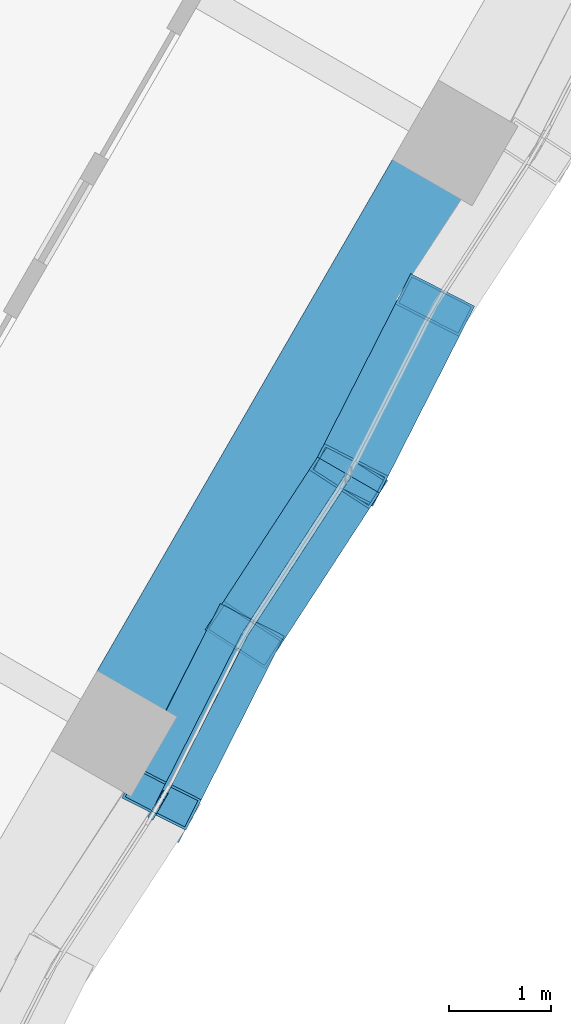
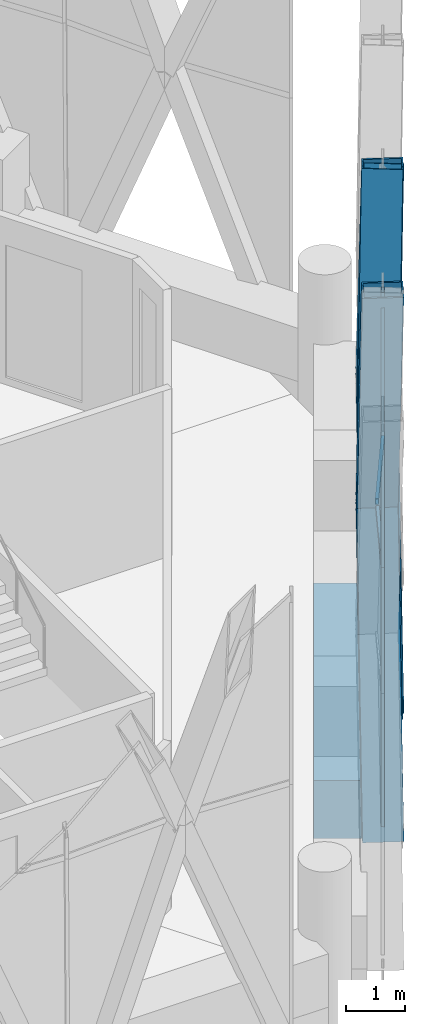
# One storey, part 6 of 22: 10 members, 1 beam, 2 elements without a shape of their own.
"""IFC4 building model written with IfcOpenShell, lengths in metres."""

from ifc_helpers import new_model, si_unit, direction, frame, origin, origin_2d, place, context, subcontext, project, spatial, rectangle, hollow_rectangle, extrude, material, material_profile, profile_set, type_object, element, aggregate, save


model = new_model("IFC4")

# Units and contexts
model_context = context("Model", 3, precision=1e-05, world=origin(), true_north=direction((0.0, 1.0)))
body_context = subcontext(model_context, "Body", "Model", "MODEL_VIEW")
ifc_project = project(units=[si_unit("LENGTHUNIT", "METRE"), si_unit("AREAUNIT", "SQUARE_METRE"), si_unit("VOLUMEUNIT", "CUBIC_METRE"), si_unit("PLANEANGLEUNIT", "RADIAN"), si_unit("MASSUNIT", "GRAM", prefix="KILO")], contexts=[model_context])

# Site, building, storey
site_placement = place(None, origin())
site = spatial("IfcSite", under=ifc_project, at=site_placement, CompositionType="ELEMENT")
building_placement = place(site_placement, origin())
building = spatial("IfcBuilding", under=site, at=building_placement, Name="Ostrander Bayou Hotel Tower", CompositionType="ELEMENT")
storey_placement = place(building_placement, frame((0.0, 0.0, 245.0)))
storey = spatial("IfcBuildingStorey", under=building, at=storey_placement, Name="L60", CompositionType="ELEMENT", Elevation=245.0)

# Curtain wall, members
ifc_material_1 = material(Name="Aluminium and clear glass", Category="aluminium")
curtain_wall_type = type_object("IfcCurtainWallType", Name="CW-LAT lattice glazing", PredefinedType="NOTDEFINED", material=ifc_material_1)
curtain_wall_1_placement = place(storey_placement, origin())
curtain_wall_1 = element("IfcCurtainWall", 1, at=curtain_wall_1_placement, inside=storey, type_object=curtain_wall_type, Name="CW-LAT L60 SE 1", PredefinedType="NOTDEFINED")
ifc_material_2 = material(Name="Aluminium", Category="aluminium")
ifc_material_profile_1 = material_profile(ifc_material_2, hollow_rectangle(XDim=0.06005859375, YDim=0.159912109375, WallThickness=0.00390625, at=origin_2d()))
ifc_profile_set_1 = profile_set([ifc_material_profile_1], Name="Aluminium")
member_type_1 = type_object("IfcMemberType", Name="CW-LA mullion 60 x 160 mm", PredefinedType="MULLION", material=ifc_profile_set_1)
member_1_placement = place(storey_placement, frame((13.320068359375, -12.069091796875, -0.60009765625), z_axis=(0.00629290177, 0.010936629283, 0.999920391595), x_axis=(-0.866757633554, 0.498729590736, 0.0)))
member_1 = element("IfcMember", 2, at=member_1_placement, type_object=member_type_1, Name="CW-LAT mullion 4", PredefinedType="MULLION", context=body_context, shape_type="SweptSolid", body=[
    extrude(hollow_rectangle(XDim=0.06005859375, YDim=0.159912109375, WallThickness=0.00390625, at=origin_2d()), origin(), (0.0, 0.0, 1.0), 5.62548828125),
])
member_2_placement = place(storey_placement, frame((13.35546875, -12.007568359375, 5.02490234375), z_axis=(0.006292904751, 0.010893235121, 0.999920865258), x_axis=(-0.865898279276, 0.500220121494, 0.0)))
member_2 = element("IfcMember", 3, at=member_2_placement, type_object=member_type_1, Name="CW-LAT mullion 5", PredefinedType="MULLION", context=body_context, shape_type="SweptSolid", body=[
    extrude(hollow_rectangle(XDim=0.06005859375, YDim=0.159912109375, WallThickness=0.00390625, at=origin_2d()), origin(), (0.0, 0.0, 1.0), 5.62548828125),
])
aggregate(curtain_wall_1, [member_1, member_2])

curtain_wall_2_placement = place(storey_placement, origin())
curtain_wall_2 = element("IfcCurtainWall", 4, at=curtain_wall_2_placement, inside=storey, type_object=curtain_wall_type, Name="CW-LAT L60 SE 2", PredefinedType="NOTDEFINED")
ifc_material_3 = material(Name="Aluminium", Category="aluminium")
ifc_material_profile_2 = material_profile(ifc_material_3, hollow_rectangle(XDim=0.06005859375, YDim=0.1201171875, WallThickness=0.00390625, at=origin_2d()))
ifc_profile_set_2 = profile_set([ifc_material_profile_2], Name="Aluminium")
member_type_2 = type_object("IfcMemberType", Name="CW-LA transom 60 x 120 mm", PredefinedType="USERDEFINED", material=ifc_profile_set_2)
member_3_placement = place(storey_placement, frame((13.35546875, -12.007568359375, 5.02490234375), z_axis=(0.453126671976, 0.891446139228, 0.0), x_axis=(-0.891446139228, 0.453126671976, 0.0)))
member_3 = element("IfcMember", 5, at=member_3_placement, type_object=member_type_2, Name="CW-LAT transom 7", ObjectType="TRANSOM", PredefinedType="USERDEFINED", context=body_context, shape_type="SweptSolid", body=[
    extrude(hollow_rectangle(XDim=0.06005859375, YDim=0.1201171875, WallThickness=0.00390625, at=origin_2d()), origin(), (0.0, 0.0, 1.0), 1.863037109375),
])
member_4_placement = place(storey_placement, frame((15.216064453125, -8.784912109375, 5.02490234375), z_axis=(-0.545444198624, -0.838147138746, 0.0), x_axis=(0.838147138746, -0.545444198624, 0.0)))
member_4 = element("IfcMember", 6, at=member_4_placement, type_object=member_type_2, Name="CW-LAT transom 10", ObjectType="TRANSOM", PredefinedType="USERDEFINED", context=body_context, shape_type="SweptSolid", body=[
    extrude(hollow_rectangle(XDim=0.06005859375, YDim=0.1201171875, WallThickness=0.00390625, at=origin_2d()), origin(), (0.0, 0.0, 1.0), 1.86328125),
])
aggregate(curtain_wall_2, [member_3, member_4])

# Members
ifc_material_4 = material(Name="Steel ASTM A572 Gr 50", Category="steel")
ifc_material_profile_3 = material_profile(ifc_material_4, hollow_rectangle(XDim=0.699951171875, YDim=0.35009765625, WallThickness=0.02490234375, at=origin_2d()))
ifc_profile_set_3 = profile_set([ifc_material_profile_3], Name="Steel ASTM A572 Gr 50")
member_type_3 = type_object("IfcMemberType", Name="LT1 lattice member box 700 x 350 x 25 mm", PredefinedType="BRACE", material=ifc_profile_set_3)
member_5_placement = place(storey_placement, frame((14.19970703125, -10.3466796875, 5.02490234375), z_axis=(-0.147883150311, -0.2895685888, -0.945664108568), x_axis=(0.890582419243, -0.454821893201, 0.0)))
element("IfcMember", 7, at=member_5_placement, inside=storey, type_object=member_type_3, Name="LT1 L60 SE 5", PredefinedType="BRACE", context=body_context, shape_type="SweptSolid", body=[
    extrude(hollow_rectangle(XDim=0.699951171875, YDim=0.35009765625, WallThickness=0.02490234375, at=origin_2d()), origin(), (0.0, 0.0, 1.0), 5.9482421875),
])
member_6_placement = place(storey_placement, frame((14.19970703125, -10.3466796875, 5.02490234375), z_axis=(-0.137005406206, -0.270950625253, 0.952793407484), x_axis=(0.892402299809, -0.451240662281, 0.0)))
element("IfcMember", 8, at=member_6_placement, inside=storey, type_object=member_type_3, Name="LT1 L60 SE 6", PredefinedType="BRACE", context=body_context, shape_type="SweptSolid", body=[
    extrude(hollow_rectangle(XDim=0.699951171875, YDim=0.35009765625, WallThickness=0.02490234375, at=origin_2d()), origin(), (0.0, 0.0, 1.0), 5.90380859375),
])
for number, where, z_axis, x_axis, name in (
    (9, (14.19970703125, -10.3466796875, 5.02490234375), (0.17151977291, 0.263562812228, -0.949271094847), (-0.838147138746, 0.545444198624, 0.0), "LT1 L60 SE 7"),
    (10, (14.19970703125, -10.3466796875, 5.02490234375), (0.17151977291, 0.263562812228, 0.949271094847), (-0.838147138746, 0.545444198624, 0.0), "LT1 L60 SE 8"),
    (11, (16.060302734375, -7.1240234375, 5.02490234375), (-0.142474711453, -0.280293655875, -0.949282056647), (0.891446139228, -0.453126671976, 0.0), "LT1 L60 SE 9"),
    (12, (16.060302734375, -7.1240234375, 5.02490234375), (-0.142474711453, -0.280293655875, 0.949282056647), (0.891446139228, -0.453126671976, 0.0), "LT1 L60 SE 10"),
):
    element("IfcMember", number, at=place(storey_placement, frame(where, z_axis=z_axis, x_axis=x_axis)), inside=storey, type_object=member_type_3, Name=name, PredefinedType="BRACE", context=body_context, shape_type="SweptSolid", body=[
        extrude(hollow_rectangle(XDim=0.699951171875, YDim=0.35009765625, WallThickness=0.02490234375, at=origin_2d()), origin(), (0.0, 0.0, 1.0), 5.925537109375),
    ])

# Beam
ifc_material_5 = material(Name="Concrete f'c 60 MPa", Category="concrete")
ifc_material_profile_4 = material_profile(ifc_material_5, rectangle(XDim=0.89990234375, YDim=1.199951171875, at=origin_2d()))
ifc_profile_set_4 = profile_set([ifc_material_profile_4], Name="Concrete f'c 60 MPa")
beam_type = type_object("IfcBeamType", Name="SP4 spandrel beam 900 x 1200 mm f'c 60 MPa", PredefinedType="SPANDREL", material=ifc_profile_set_4)
beam_placement = place(storey_placement, frame((13.1376953125, -10.944580078125, -0.60009765625), z_axis=(0.500015433515, 0.866016493057, 0.0), x_axis=(-0.866016493057, 0.500015433515, 0.0)))
element("IfcBeam", 13, at=beam_placement, inside=storey, type_object=beam_type, Name="SP4 L60 SE-2", PredefinedType="SPANDREL", context=body_context, shape_type="SweptSolid", body=[
    extrude(rectangle(XDim=0.89990234375, YDim=1.199951171875, at=origin_2d()), origin(), (0.0, 0.0, 1.0), 5.818603515625),
])

save(model, "model.ifc")
